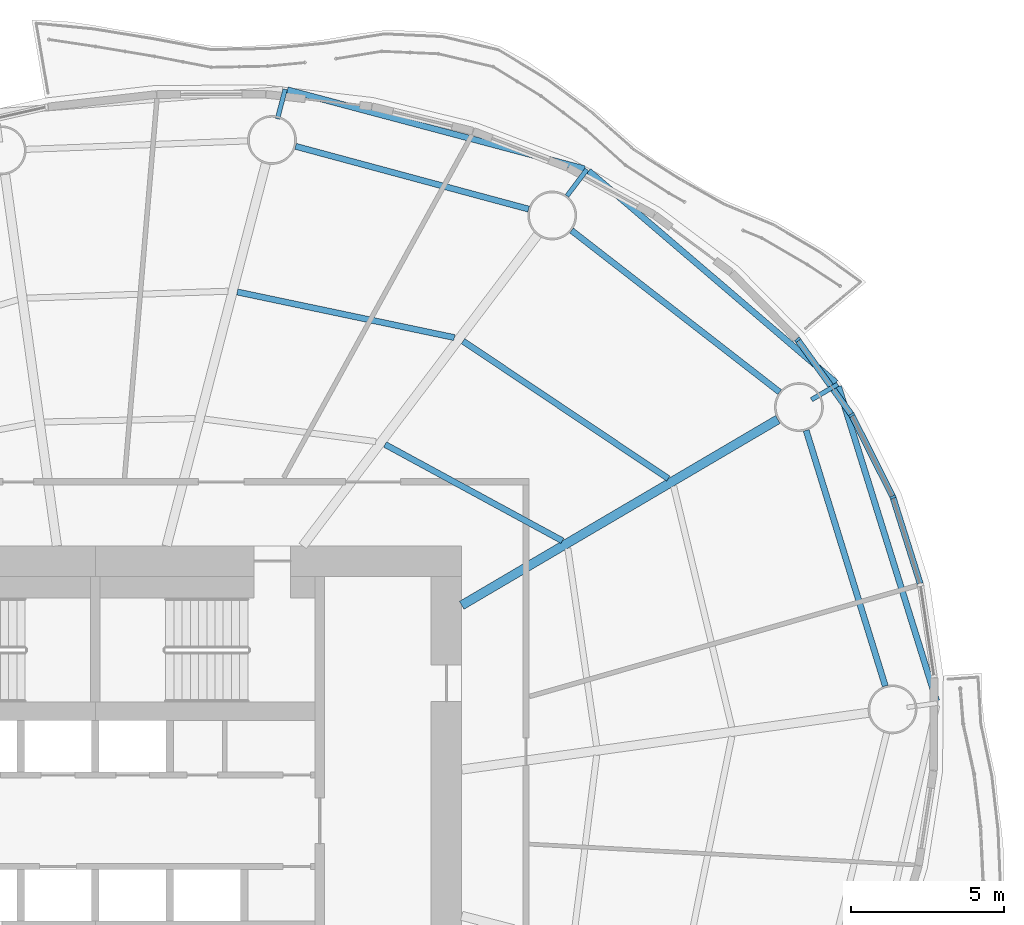
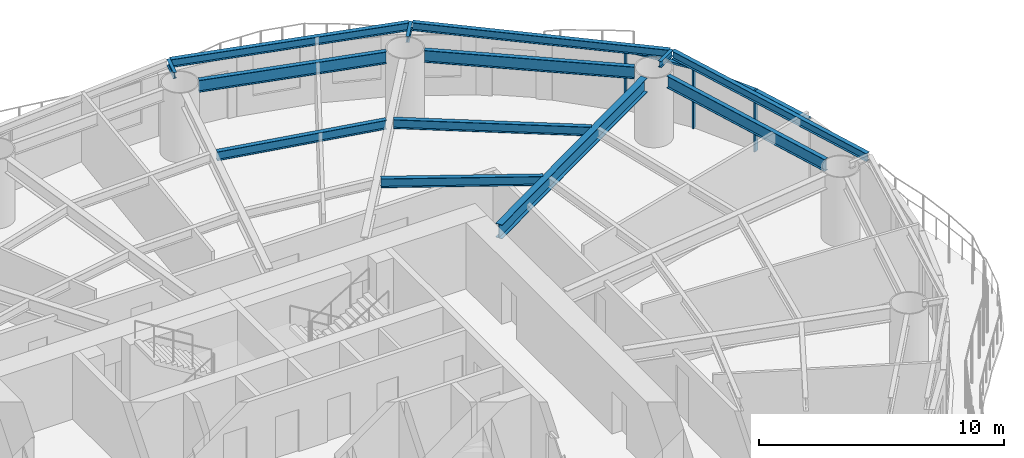
# One storey, part 5 of 15: 13 beams, 6 members, 3 elements without a shape of their own.
"""IFC4 building model written with IfcOpenShell, lengths in metres."""

from ifc_helpers import new_model, si_unit, direction, frame, origin, origin_2d, place, context, subcontext, project, spatial, rectangle, i_section, extrude, material, material_profile, profile_set, type_object, element, aggregate, save


model = new_model("IFC4")

# Units and contexts
model_context = context("Model", 3, precision=1e-05, world=origin(), true_north=direction((0.0, 1.0)))
body_context = subcontext(model_context, "Body", "Model", "MODEL_VIEW")
ifc_project = project(units=[si_unit("LENGTHUNIT", "METRE"), si_unit("AREAUNIT", "SQUARE_METRE"), si_unit("VOLUMEUNIT", "CUBIC_METRE"), si_unit("PLANEANGLEUNIT", "RADIAN"), si_unit("MASSUNIT", "GRAM", prefix="KILO")], contexts=[model_context])

# Site, building, storey
site_placement = place(None, origin())
site = spatial("IfcSite", under=ifc_project, at=site_placement, CompositionType="ELEMENT")
building_placement = place(site_placement, origin())
building = spatial("IfcBuilding", under=site, at=building_placement, Name="Vermilion Reach Broadcast Tower", CompositionType="ELEMENT")
storey_placement = place(building_placement, frame((0.0, 0.0, 121.0)))
storey = spatial("IfcBuildingStorey", under=building, at=storey_placement, Name="L28", CompositionType="ELEMENT", Elevation=121.0)

# Beams
ifc_material_1 = material(Name="Steel S355J2", Category="steel")
ifc_material_profile_1 = material_profile(ifc_material_1, i_section(OverallWidth=0.199951171875, OverallDepth=0.39990234375, WebThickness=0.008056640625, FlangeThickness=0.012939453125, at=origin_2d()), Name="S355J2 HN 400x200x8x13")
ifc_profile_set_1 = profile_set([ifc_material_profile_1], Name="Steel S355J2")
beam_type_1 = type_object("IfcBeamType", Name="EB2 HN 400x200x8x13", PredefinedType="BEAM", material=ifc_profile_set_1)
beam_1_placement = place(storey_placement, frame((18.255859375, 14.34619140625, 3.25), z_axis=(-0.759689690312, 0.650285763671, 0.0), x_axis=(-0.650285763671, -0.759689690312, 0.0)))
element("IfcBeam", 1, at=beam_1_placement, inside=storey, type_object=beam_type_1, Name="Edge beam EB2-01", PredefinedType="BEAM", context=body_context, shape_type="SweptSolid", body=[
    extrude(i_section(OverallWidth=0.199951171875, OverallDepth=0.39990234375, WebThickness=0.008056640625, FlangeThickness=0.012939453125, at=origin_2d()), origin(), (0.0, 0.0, 1.0), 10.66015625),
])
beam_2_placement = place(storey_placement, frame((10.02197265625, 21.347900390625, 3.25), z_axis=(-0.966440654869, 0.256889977648, 0.0), x_axis=(-0.256889977648, -0.966440654869, 0.0)))
element("IfcBeam", 2, at=beam_2_placement, inside=storey, type_object=beam_type_1, Name="Edge beam EB2-02", PredefinedType="BEAM", context=body_context, shape_type="SweptSolid", body=[
    extrude(i_section(OverallWidth=0.199951171875, OverallDepth=0.39990234375, WebThickness=0.008056640625, FlangeThickness=0.012939453125, at=origin_2d()), origin(), (0.0, 0.0, 1.0), 10.070068359375),
])
beam_3_placement = place(storey_placement, frame((21.55126953125, 3.92333984375, 3.25), z_axis=(-0.29777494454, 0.954636099466, 0.0), x_axis=(-0.954636099466, -0.29777494454, 0.0)))
element("IfcBeam", 3, at=beam_3_placement, inside=storey, type_object=beam_type_1, Name="Edge beam EB2-16", PredefinedType="BEAM", context=body_context, shape_type="SweptSolid", body=[
    extrude(i_section(OverallWidth=0.199951171875, OverallDepth=0.39990234375, WebThickness=0.008056640625, FlangeThickness=0.012939453125, at=origin_2d()), origin(), (0.0, 0.0, 1.0), 10.787109375),
])
ifc_material_2 = material(Name="Steel S355J2", Category="steel")
ifc_material_profile_2 = material_profile(ifc_material_2, i_section(OverallWidth=0.300048828125, OverallDepth=0.699951171875, WebThickness=0.012939453125, FlangeThickness=0.02392578125, at=origin_2d()), Name="S355J2 HN 700x300x13x24")
ifc_profile_set_2 = profile_set([ifc_material_profile_2], Name="Steel S355J2")
beam_type_2 = type_object("IfcBeamType", Name="G2 HN 700x300x13x24", PredefinedType="BEAM", material=ifc_profile_set_2)
beam_4_placement = place(storey_placement, frame((6.0, 7.054443359375, 3.10009765625), z_axis=(0.862071616631, 0.506786471603, 0.0), x_axis=(-0.506786471603, 0.862071616631, 0.0)))
element("IfcBeam", 4, at=beam_4_placement, inside=storey, type_object=beam_type_2, Name="Girder G2-01", PredefinedType="BEAM", context=body_context, shape_type="SweptSolid", body=[
    extrude(i_section(OverallWidth=0.300048828125, OverallDepth=0.699951171875, WebThickness=0.012939453125, FlangeThickness=0.02392578125, at=origin_2d()), origin(), (0.0, 0.0, 1.0), 12.01025390625),
])
ifc_material_3 = material(Name="Steel S355J2", Category="steel")
ifc_material_profile_3 = material_profile(ifc_material_3, i_section(OverallWidth=0.14990234375, OverallDepth=0.300048828125, WebThickness=0.006591796875, FlangeThickness=0.009033203125, at=origin_2d()), Name="S355J2 HN 300x150x6.5x9")
ifc_profile_set_3 = profile_set([ifc_material_profile_3], Name="Steel S355J2")
beam_type_3 = type_object("IfcBeamType", Name="GS2 HN 300x150x6.5x9", PredefinedType="BEAM", material=ifc_profile_set_3)
beam_5_placement = place(storey_placement, frame((17.4541015625, 13.787841796875, 3.300048828125), z_axis=(0.862047161964, 0.506828068037, 0.0), x_axis=(-0.506828068037, 0.862047161964, 0.0)))
element("IfcBeam", 5, at=beam_5_placement, inside=storey, type_object=beam_type_3, Name="Cantilever stub GS2-01", PredefinedType="BEAM", context=body_context, shape_type="SweptSolid", body=[
    extrude(i_section(OverallWidth=0.14990234375, OverallDepth=0.300048828125, WebThickness=0.006591796875, FlangeThickness=0.009033203125, at=origin_2d()), origin(), (0.0, 0.0, 1.0), 1.0),
])
beam_6_placement = place(storey_placement, frame((9.4453125, 20.45947265625, 3.300048828125), z_axis=(0.602512180589, 0.798109686849, 0.0), x_axis=(-0.798109686849, 0.602512180589, 0.0)))
element("IfcBeam", 6, at=beam_6_placement, inside=storey, type_object=beam_type_3, Name="Cantilever stub GS2-02", PredefinedType="BEAM", context=body_context, shape_type="SweptSolid", body=[
    extrude(i_section(OverallWidth=0.14990234375, OverallDepth=0.300048828125, WebThickness=0.006591796875, FlangeThickness=0.009033203125, at=origin_2d()), origin(), (0.0, 0.0, 1.0), 1.087158203125),
])
beam_7_placement = place(storey_placement, frame((-0.033935546875, 22.986083984375, 3.300048828125), z_axis=(0.251258738033, 0.967919958758, 0.0), x_axis=(-0.967919958758, 0.251258738033, 0.0)))
element("IfcBeam", 7, at=beam_7_placement, inside=storey, type_object=beam_type_3, Name="Cantilever stub GS2-03", PredefinedType="BEAM", context=body_context, shape_type="SweptSolid", body=[
    extrude(i_section(OverallWidth=0.14990234375, OverallDepth=0.300048828125, WebThickness=0.006591796875, FlangeThickness=0.009033203125, at=origin_2d()), origin(), (0.0, 0.0, 1.0), 0.999755859375),
])
ifc_material_4 = material(Name="Steel S355J2", Category="steel")
ifc_material_profile_4 = material_profile(ifc_material_4, i_section(OverallWidth=0.199951171875, OverallDepth=0.60009765625, WebThickness=0.010986328125, FlangeThickness=0.01708984375, at=origin_2d()), Name="S355J2 HN 600x200x11x17")
ifc_profile_set_4 = profile_set([ifc_material_profile_4], Name="Steel S355J2")
beam_type_4 = type_object("IfcBeamType", Name="RB2 HN 600x200x11x17", PredefinedType="BEAM", material=ifc_profile_set_4)
beam_8_placement = place(storey_placement, frame((16.41162109375, 14.037109375, 3.14990234375), z_axis=(-0.789825712432, 0.613331349257, 0.0), x_axis=(-0.613331349257, -0.789825712432, 0.0)))
element("IfcBeam", 8, at=beam_8_placement, inside=storey, type_object=beam_type_4, Name="Ring beam RB2-01", PredefinedType="BEAM", context=body_context, shape_type="SweptSolid", body=[
    extrude(i_section(OverallWidth=0.199951171875, OverallDepth=0.60009765625, WebThickness=0.010986328125, FlangeThickness=0.01708984375, at=origin_2d()), origin(), (0.0, 0.0, 1.0), 8.63037109375),
])
beam_9_placement = place(storey_placement, frame((8.19091796875, 20.029296875, 3.14990234375), z_axis=(-0.965541463834, 0.260249268234, 0.0), x_axis=(-0.260249268234, -0.965541463834, 0.0)))
element("IfcBeam", 9, at=beam_9_placement, inside=storey, type_object=beam_type_4, Name="Ring beam RB2-02", PredefinedType="BEAM", context=body_context, shape_type="SweptSolid", body=[
    extrude(i_section(OverallWidth=0.199951171875, OverallDepth=0.60009765625, WebThickness=0.010986328125, FlangeThickness=0.01708984375, at=origin_2d()), origin(), (0.0, 0.0, 1.0), 7.904541015625),
])
beam_10_placement = place(storey_placement, frame((19.872314453125, 4.410400390625, 3.14990234375), z_axis=(-0.295788439635, 0.95525347368, 0.0), x_axis=(-0.95525347368, -0.295788439635, 0.0)))
element("IfcBeam", 10, at=beam_10_placement, inside=storey, type_object=beam_type_4, Name="Ring beam RB2-16", PredefinedType="BEAM", context=body_context, shape_type="SweptSolid", body=[
    extrude(i_section(OverallWidth=0.199951171875, OverallDepth=0.60009765625, WebThickness=0.010986328125, FlangeThickness=0.01708984375, at=origin_2d()), origin(), (0.0, 0.0, 1.0), 8.763916015625),
])
ifc_material_5 = material(Name="Steel S355J2", Category="steel")
ifc_material_profile_5 = material_profile(ifc_material_5, i_section(OverallWidth=0.199951171875, OverallDepth=0.449951171875, WebThickness=0.009033203125, FlangeThickness=0.013916015625, at=origin_2d()), Name="S355J2 HN 450x200x9x14")
ifc_profile_set_5 = profile_set([ifc_material_profile_5], Name="Steel S355J2")
beam_type_5 = type_object("IfcBeamType", Name="SB2 HN 450x200x9x14", PredefinedType="BEAM", material=ifc_profile_set_5)
beam_11_placement = place(storey_placement, frame((9.29736328125, 9.1669921875, 3.22509765625), z_axis=(-0.878713106774, 0.477350265512, 0.0), x_axis=(-0.477350265512, -0.878713106774, 0.0)))
element("IfcBeam", 11, at=beam_11_placement, inside=storey, type_object=beam_type_5, Name="Secondary beam SB2-01-1", PredefinedType="BEAM", context=body_context, shape_type="SweptSolid", body=[
    extrude(i_section(OverallWidth=0.199951171875, OverallDepth=0.449951171875, WebThickness=0.009033203125, FlangeThickness=0.013916015625, at=origin_2d()), origin(), (0.0, 0.0, 1.0), 6.60888671875),
])
beam_12_placement = place(storey_placement, frame((12.76416015625, 11.204833984375, 3.22509765625), z_axis=(-0.830915400975, 0.556398774641, 0.0), x_axis=(-0.556398774641, -0.830915400975, 0.0)))
element("IfcBeam", 12, at=beam_12_placement, inside=storey, type_object=beam_type_5, Name="Secondary beam SB2-01-2", PredefinedType="BEAM", context=body_context, shape_type="SweptSolid", body=[
    extrude(i_section(OverallWidth=0.199951171875, OverallDepth=0.449951171875, WebThickness=0.009033203125, FlangeThickness=0.013916015625, at=origin_2d()), origin(), (0.0, 0.0, 1.0), 8.087646484375),
])
beam_13_placement = place(storey_placement, frame((5.7568359375, 15.822509765625, 3.22509765625), z_axis=(-0.978631382549, 0.205622511148, 0.0), x_axis=(-0.205622511148, -0.978631382549, 0.0)))
element("IfcBeam", 13, at=beam_13_placement, inside=storey, type_object=beam_type_5, Name="Secondary beam SB2-02-2", PredefinedType="BEAM", context=body_context, shape_type="SweptSolid", body=[
    extrude(i_section(OverallWidth=0.199951171875, OverallDepth=0.449951171875, WebThickness=0.009033203125, FlangeThickness=0.013916015625, at=origin_2d()), origin(), (0.0, 0.0, 1.0), 7.262939453125),
])

# Curtain wall, member
ifc_material_6 = material(Name="Low-e laminated clear glass in aluminium frame", Category="aluminium")
curtain_wall_type = type_object("IfcCurtainWallType", Name="Slot curtain wall", PredefinedType="NOTDEFINED", material=ifc_material_6)
placement = place(storey_placement, origin())
curtain_wall_1 = element("IfcCurtainWall", 14, at=placement, inside=storey, type_object=curtain_wall_type, Name="Slot curtain wall L28 00", PredefinedType="NOTDEFINED")
ifc_material_7 = material(Name="Anodised aluminium", Category="aluminium")
ifc_material_profile_6 = material_profile(ifc_material_7, rectangle(XDim=0.199951171875, YDim=0.080078125, at=origin_2d()), Name="Slot mullion 80 x 200")
ifc_profile_set_6 = profile_set([ifc_material_profile_6], Name="Anodised aluminium")
member_type_1 = type_object("IfcMemberType", Name="Slot mullion 80 x 200", PredefinedType="MULLION", material=ifc_profile_set_6)
member_1_placement = place(storey_placement, frame((20.121337890625, 10.59619140625, 0.0), z_axis=(0.0, 0.0, 1.0), x_axis=(-0.926659833436, -0.375900988421, 0.0)))
member_1 = element("IfcMember", 15, at=member_1_placement, type_object=member_type_1, Name="Slot mullion L28 00", PredefinedType="MULLION", context=body_context, shape_type="SweptSolid", body=[
    extrude(rectangle(XDim=0.199951171875, YDim=0.080078125, at=origin_2d()), origin(), (0.0, 0.0, 1.0), 3.050048828125),
])

# Curtain wall, members
curtain_wall_2 = element("IfcCurtainWall", 16, at=placement, inside=storey, type_object=curtain_wall_type, Name="Slot curtain wall L28 01", PredefinedType="NOTDEFINED")
member_2_placement = place(storey_placement, frame((18.771484375, 13.28564453125, 0.0), z_axis=(0.0, 0.0, 1.0), x_axis=(-0.855464819556, -0.517860929693, 0.0)))
member_2 = element("IfcMember", 17, at=member_2_placement, type_object=member_type_1, Name="Slot mullion L28 01", PredefinedType="MULLION", context=body_context, shape_type="SweptSolid", body=[
    extrude(rectangle(XDim=0.199951171875, YDim=0.080078125, at=origin_2d()), origin(), (0.0, 0.0, 1.0), 3.050048828125),
])
member_3_placement = place(storey_placement, frame((16.99951171875, 15.74951171875, 0.0), z_axis=(0.0, 0.0, 1.0), x_axis=(-0.764320389908, -0.644836678214, 0.0)))
member_3 = element("IfcMember", 18, at=member_3_placement, type_object=member_type_1, Name="Slot mullion L28 02", PredefinedType="MULLION", context=body_context, shape_type="SweptSolid", body=[
    extrude(rectangle(XDim=0.199951171875, YDim=0.080078125, at=origin_2d()), origin(), (0.0, 0.0, 1.0), 3.050048828125),
])

# Curtain wall, member
curtain_wall_3 = element("IfcCurtainWall", 19, at=placement, inside=storey, type_object=curtain_wall_type, Name="Slot curtain wall L28 47", PredefinedType="NOTDEFINED")
ifc_material_8 = material(Name="Anodised aluminium", Category="aluminium")
ifc_material_profile_7 = material_profile(ifc_material_8, rectangle(XDim=0.199951171875, YDim=0.10009765625, at=origin_2d()), Name="Slot transom 200 x 100")
ifc_profile_set_7 = profile_set([ifc_material_profile_7], Name="Anodised aluminium")
member_type_2 = type_object("IfcMemberType", Name="Slot transom 200 x 100", PredefinedType="USERDEFINED", material=ifc_profile_set_7)
member_4_placement = place(storey_placement, frame((21.0146484375, 7.7646484375, 3.0), z_axis=(-0.300808240233, 0.953684645262, 0.0), x_axis=(-0.953684645262, -0.300808240233, 0.0)))
member_4 = element("IfcMember", 20, at=member_4_placement, type_object=member_type_2, Name="Slot transom L28 47.1", ObjectType="TRANSOM", PredefinedType="USERDEFINED", context=body_context, shape_type="SweptSolid", body=[
    extrude(rectangle(XDim=0.199951171875, YDim=0.10009765625, at=origin_2d()), origin(), (0.0, 0.0, 1.0), 2.92919921875),
])
aggregate(curtain_wall_3, [member_4])

# Member
member_5_placement = place(storey_placement, frame((20.103515625, 10.6318359375, 3.0), z_axis=(-0.448579983646, 0.893742691311, 0.0), x_axis=(-0.893742691311, -0.448579983646, 0.0)))
member_5 = element("IfcMember", 21, at=member_5_placement, type_object=member_type_2, Name="Slot transom L28 00.1", ObjectType="TRANSOM", PredefinedType="USERDEFINED", context=body_context, shape_type="SweptSolid", body=[
    extrude(rectangle(XDim=0.199951171875, YDim=0.10009765625, at=origin_2d()), origin(), (0.0, 0.0, 1.0), 2.92919921875),
])

aggregate(curtain_wall_1, [member_1, member_5])

member_6_placement = place(storey_placement, frame((18.748291015625, 13.318115234375, 3.0), z_axis=(-0.583939026254, 0.811797520086, 0.0), x_axis=(-0.811797520086, -0.583939026254, 0.0)))
member_6 = element("IfcMember", 22, at=member_6_placement, type_object=member_type_2, Name="Slot transom L28 01.1", ObjectType="TRANSOM", PredefinedType="USERDEFINED", context=body_context, shape_type="SweptSolid", body=[
    extrude(rectangle(XDim=0.199951171875, YDim=0.10009765625, at=origin_2d()), origin(), (0.0, 0.0, 1.0), 2.955078125),
])

aggregate(curtain_wall_2, [member_2, member_3, member_6])

save(model, "model.ifc")
